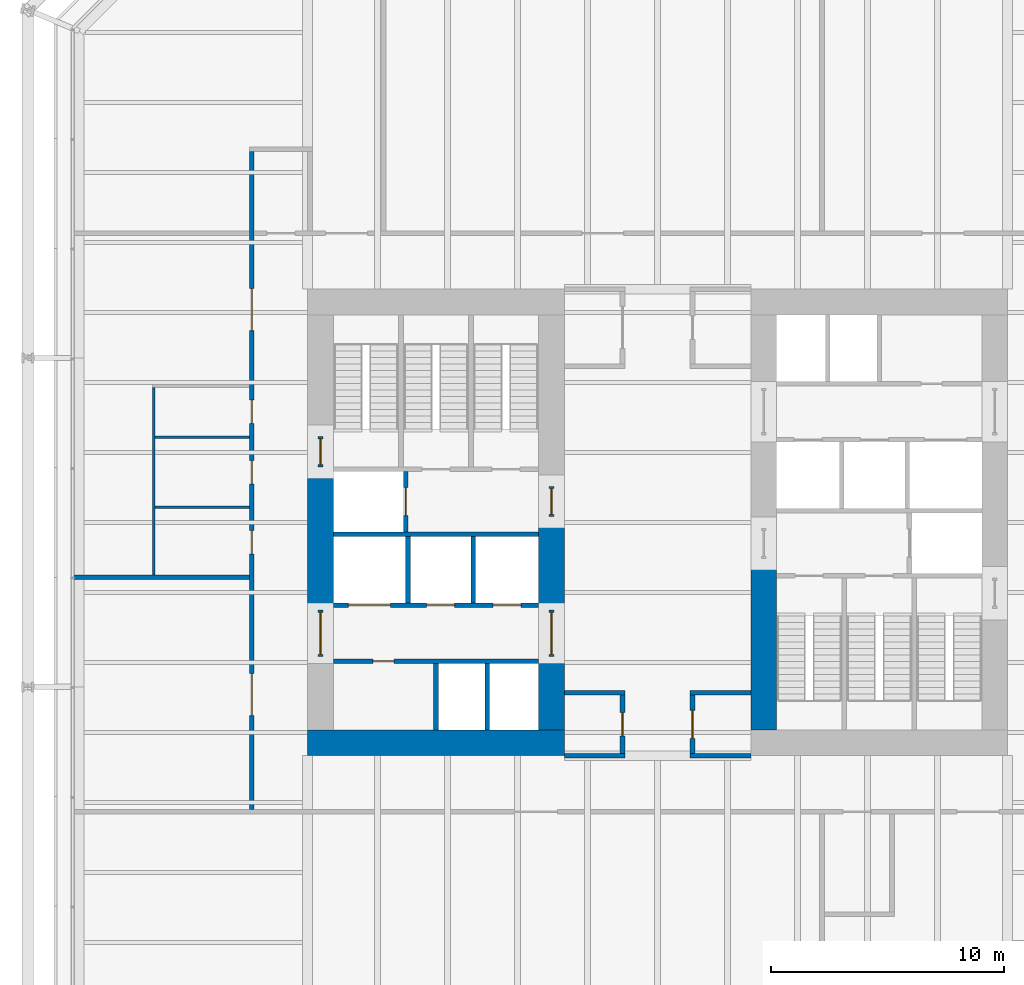
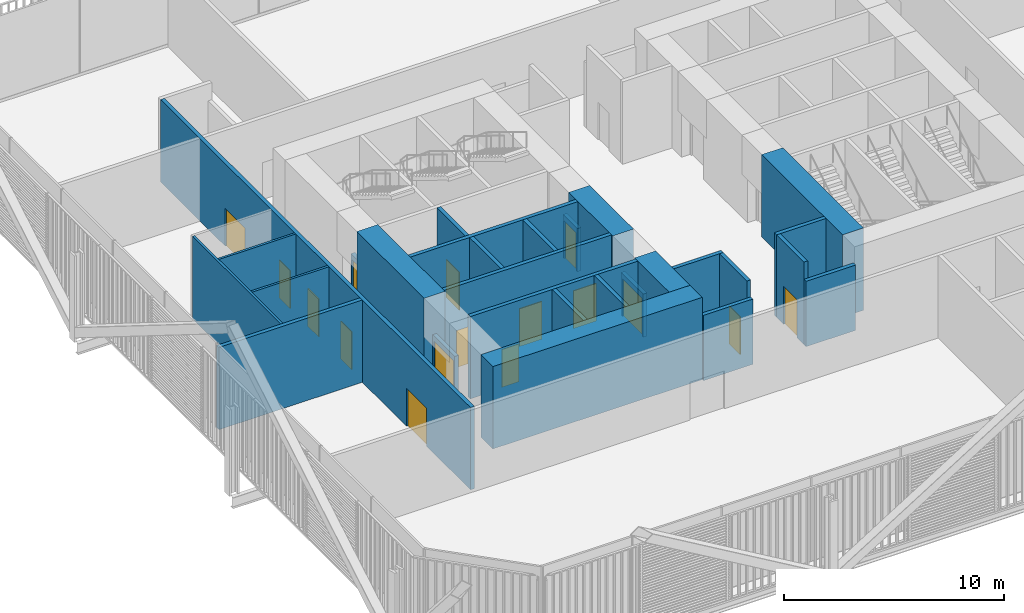
# One storey, part 18 of 22: 28 walls, 16 doors, 16 openings.
"""IFC4 building model written with IfcOpenShell, lengths in metres."""

from ifc_helpers import new_model, si_unit, direction, frame, frame_2d, origin, place, context, subcontext, project, spatial, rectangle, extrude, material, layer, layer_set, type_object, element, fill, save


model = new_model("IFC4")

# Units and contexts
model_context = context("Model", 3, precision=1e-05, world=origin(), true_north=direction((0.0, 1.0)))
body_context = subcontext(model_context, "Body", "Model", "MODEL_VIEW")
ifc_project = project(units=[si_unit("LENGTHUNIT", "METRE"), si_unit("AREAUNIT", "SQUARE_METRE"), si_unit("VOLUMEUNIT", "CUBIC_METRE"), si_unit("PLANEANGLEUNIT", "RADIAN"), si_unit("MASSUNIT", "GRAM", prefix="KILO")], contexts=[model_context])

# Site, building, storey
site_placement = place(None, origin())
site = spatial("IfcSite", under=ifc_project, at=site_placement, CompositionType="ELEMENT")
building_placement = place(site_placement, origin())
building = spatial("IfcBuilding", under=site, at=building_placement, Name="Millrace Tower", CompositionType="ELEMENT")
storey_placement = place(building_placement, frame((0.0, 0.0, 54.5)))
storey = spatial("IfcBuildingStorey", under=building, at=storey_placement, Name="L12", CompositionType="ELEMENT", Elevation=54.5)

# Walls
ifc_material_1 = material(Name="Concrete C80", Category="concrete")
ifc_layer_1 = layer(ifc_material_1, 1.10009765625)
ifc_layer_set_1 = layer_set([ifc_layer_1], Name="Concrete C80")
wall_type_1 = type_object("IfcWallType", Name="Core wall 1100 Concrete C80", PredefinedType="SHEAR", material=ifc_layer_set_1)
wall_1_placement = place(storey_placement, frame((-15.0, -9.449951171875, 0.0), z_axis=(0.0, 0.0, 1.0), x_axis=(1.0, 0.0, 0.0)))
element("IfcWall", 1, at=wall_1_placement, inside=storey, type_object=wall_type_1, Name="Core wall W L12", PredefinedType="SHEAR", context=body_context, shape_type="SweptSolid", body=[
    extrude(rectangle(XDim=11.0, YDim=1.10009765625, at=frame_2d((5.5, 0.0))), origin(), (0.0, 0.0, 1.0), 4.574951171875),
])
wall_2_placement = place(storey_placement, frame((-14.449951171875, -3.75, 0.0), z_axis=(0.0, 0.0, 1.0), x_axis=(0.0, 1.0, 0.0)))
element("IfcWall", 2, at=wall_2_placement, inside=storey, type_object=wall_type_1, Name="Core wall W L12", PredefinedType="SHEAR", context=body_context, shape_type="SweptSolid", body=[
    extrude(rectangle(XDim=6.1298828125, YDim=1.10009765625, at=frame_2d((3.06494140625, 0.0))), origin(), (0.0, 0.0, 1.0), 4.574951171875),
])
wall_3_placement = place(storey_placement, frame((-4.550048828125, -8.89990234375, 0.0), z_axis=(0.0, 0.0, 1.0), x_axis=(0.0, 1.0, 0.0)))
element("IfcWall", 3, at=wall_3_placement, inside=storey, type_object=wall_type_1, Name="Core wall W L12", PredefinedType="SHEAR", context=body_context, shape_type="SweptSolid", body=[
    extrude(rectangle(XDim=3.14990234375, YDim=1.10009765625, at=frame_2d((1.574951171875, 0.0))), origin(), (0.0, 0.0, 1.0), 4.574951171875),
])
wall_4_placement = place(storey_placement, frame((-4.550048828125, -3.75, 0.0), z_axis=(0.0, 0.0, 1.0), x_axis=(0.0, 1.0, 0.0)))
element("IfcWall", 4, at=wall_4_placement, inside=storey, type_object=wall_type_1, Name="Core wall W L12", PredefinedType="SHEAR", context=body_context, shape_type="SweptSolid", body=[
    extrude(rectangle(XDim=4.0, YDim=1.10009765625, at=frame_2d((2.0, 0.0))), origin(), (0.0, 0.0, 1.0), 4.574951171875),
])
wall_5_placement = place(storey_placement, frame((4.550048828125, -1.550048828125, 0.0), z_axis=(0.0, 0.0, 1.0), x_axis=(0.0, -1.0, 0.0)))
element("IfcWall", 5, at=wall_5_placement, inside=storey, type_object=wall_type_1, Name="Core wall E L12", PredefinedType="SHEAR", context=body_context, shape_type="SweptSolid", body=[
    extrude(rectangle(XDim=7.349853515625, YDim=1.10009765625, at=frame_2d((3.6748046875, 0.0))), origin(), (0.0, 0.0, 1.0), 4.574951171875),
])
ifc_material_2 = material(Name="Masonry partition, fire-rated", Category="masonry")
ifc_layer_2 = layer(ifc_material_2, 0.199951171875)
ifc_layer_set_2 = layer_set([ifc_layer_2], Name="Masonry partition, fire-rated")
wall_type_2 = type_object("IfcWallType", Name="Corridor wall 200", PredefinedType="PARTITIONING", material=ifc_layer_set_2)
for number, where, z_axis, x_axis, name in (
    (6, (-4.0, -10.0, 0.0), (0.0, 0.0, 1.0), (1.0, 0.0, 0.0), "Corridor wall L12"),
    (7, (1.39990234375, -10.0, 0.0), (0.0, 0.0, 1.0), (1.0, 0.0, 0.0), "Corridor wall L12"),
):
    element("IfcWall", number, at=place(storey_placement, frame(where, z_axis=z_axis, x_axis=x_axis)), inside=storey, type_object=wall_type_2, Name=name, PredefinedType="PARTITIONING", context=body_context, shape_type="SweptSolid", body=[
        extrude(rectangle(XDim=2.60009765625, YDim=0.199951171875, at=frame_2d((1.300048828125, 0.0))), origin(), (0.0, 0.0, 1.0), 3.627685546875),
    ])
for number, where, z_axis, x_axis, name in (
    (8, (-4.0, -7.300048828125, 0.0), (0.0, 0.0, 1.0), (1.0, 0.0, 0.0), "Corridor wall L12"),
    (9, (1.39990234375, -7.300048828125, 0.0), (0.0, 0.0, 1.0), (1.0, 0.0, 0.0), "Corridor wall L12"),
):
    element("IfcWall", number, at=place(storey_placement, frame(where, z_axis=z_axis, x_axis=x_axis)), inside=storey, type_object=wall_type_2, Name=name, PredefinedType="PARTITIONING", context=body_context, shape_type="SweptSolid", body=[
        extrude(rectangle(XDim=2.60009765625, YDim=0.199951171875, at=frame_2d((1.300048828125, 0.0))), origin(), (0.0, 0.0, 1.0), 4.574951171875),
    ])
wall_6_placement = place(storey_placement, frame((-25.030029296875, -2.35009765625, 0.0), z_axis=(0.0, 0.0, 1.0), x_axis=(1.0, 0.0, 0.0)))
element("IfcWall", 10, at=wall_6_placement, inside=storey, type_object=wall_type_2, Name="Corridor wall L12", PredefinedType="PARTITIONING", context=body_context, shape_type="SweptSolid", body=[
    extrude(rectangle(XDim=7.530029296875, YDim=0.199951171875, at=frame_2d((3.76513671875, 0.0))), origin(), (0.0, 0.0, 1.0), 4.574951171875),
])

# Wall, opening, door
wall_7_placement = place(storey_placement, frame((1.5, -9.89990234375, 0.0), z_axis=(0.0, 0.0, 1.0), x_axis=(0.0, 1.0, 0.0)))
wall_7 = element("IfcWall", 11, at=wall_7_placement, inside=storey, type_object=wall_type_2, Name="Corridor wall L12", PredefinedType="PARTITIONING", context=body_context, shape_type="SweptSolid", body=[
    extrude(rectangle(XDim=2.5, YDim=0.199951171875, at=frame_2d((1.25, 0.0))), origin(), (0.0, 0.0, 1.0), 4.574951171875),
])
opening_1_placement = place(wall_7_placement, frame((0.64990234375, 0.0, 0.0)))
opening_1 = element("IfcOpeningElement", 12, at=opening_1_placement, cuts=wall_7, Name="Opening 12-P004", PredefinedType="OPENING", context=body_context, shape_type="SweptSolid", body=[
    extrude(rectangle(XDim=1.199951171875, YDim=2.10009765625, at=frame_2d((0.60009765625, 1.050048828125))), frame((0.0, 0.10986328125, 0.0), z_axis=(0.0, -1.0, 0.0), x_axis=(1.0, 0.0, 0.0)), (0.0, 0.0, 1.0), 0.219970703125),
])
ifc_material_3 = material(Name="Steel door set, fire-rated", Category="steel")
door_type_1 = type_object("IfcDoorType", Name="Corridor door 1200 x 2100", OperationType="SINGLE_SWING_LEFT", PredefinedType="DOOR", material=ifc_material_3)
door_1_placement = place(opening_1_placement, frame((1.199951171875, 0.0, 0.0), z_axis=(0.0, 0.0, 1.0), x_axis=(-1.0, 0.0, 0.0)))
door_1 = element("IfcDoor", 13, at=door_1_placement, inside=storey, type_object=door_type_1, Name="Door 12-P004", OperationType="SINGLE_SWING_LEFT", OverallHeight=2.10009765625, OverallWidth=1.199951171875, PredefinedType="DOOR", context=body_context, shape_type="SweptSolid", body=[
    extrude(rectangle(XDim=1.199951171875, YDim=2.10009765625, at=frame_2d((0.60009765625, 1.050048828125))), frame((0.0, 0.02490234375, 0.0), z_axis=(0.0, -1.0, 0.0), x_axis=(1.0, 0.0, 0.0)), (0.0, 0.0, 1.0), 0.050048828125),
])
fill(opening_1, door_1)

wall_8_placement = place(storey_placement, frame((-1.5, -9.89990234375, 0.0), z_axis=(0.0, 0.0, 1.0), x_axis=(0.0, 1.0, 0.0)))
wall_8 = element("IfcWall", 14, at=wall_8_placement, inside=storey, type_object=wall_type_2, Name="Corridor wall L12", PredefinedType="PARTITIONING", context=body_context, shape_type="SweptSolid", body=[
    extrude(rectangle(XDim=2.5, YDim=0.199951171875, at=frame_2d((1.25, 0.0))), origin(), (0.0, 0.0, 1.0), 4.574951171875),
])
opening_2_placement = place(wall_8_placement, frame((0.75, 0.0, 0.0)))
opening_2 = element("IfcOpeningElement", 15, at=opening_2_placement, cuts=wall_8, Name="Opening 12-P003", PredefinedType="OPENING", context=body_context, shape_type="SweptSolid", body=[
    extrude(rectangle(XDim=1.0, YDim=2.10009765625, at=frame_2d((0.5, 1.050048828125))), frame((0.0, 0.10986328125, 0.0), z_axis=(0.0, -1.0, 0.0), x_axis=(1.0, 0.0, 0.0)), (0.0, 0.0, 1.0), 0.219970703125),
])
ifc_material_4 = material(Name="Steel door set, fire-rated", Category="steel")
door_type_2 = type_object("IfcDoorType", Name="Corridor door 1000 x 2100", OperationType="SINGLE_SWING_LEFT", PredefinedType="DOOR", material=ifc_material_4)
door_2_placement = place(opening_2_placement, origin())
door_2 = element("IfcDoor", 16, at=door_2_placement, inside=storey, type_object=door_type_2, Name="Door 12-P003", OperationType="SINGLE_SWING_RIGHT", OverallHeight=2.10009765625, OverallWidth=1.0, PredefinedType="DOOR", context=body_context, shape_type="SweptSolid", body=[
    extrude(rectangle(XDim=1.0, YDim=2.10009765625, at=frame_2d((0.5, 1.050048828125))), frame((0.0, 0.02490234375, 0.0), z_axis=(0.0, -1.0, 0.0), x_axis=(1.0, 0.0, 0.0)), (0.0, 0.0, 1.0), 0.050048828125),
])
fill(opening_2, door_2)

# Wall, openings, doors
wall_9_placement = place(storey_placement, frame((-17.39990234375, -12.300048828125, 0.0), z_axis=(0.0, 0.0, 1.0), x_axis=(0.0, 1.0, 0.0)))
wall_9 = element("IfcWall", 17, at=wall_9_placement, inside=storey, type_object=wall_type_2, Name="Corridor wall L12", PredefinedType="PARTITIONING", context=body_context, shape_type="SweptSolid", body=[
    extrude(rectangle(XDim=28.199951171875, YDim=0.199951171875, at=frame_2d((14.10009765625, 0.0))), origin(), (0.0, 0.0, 1.0), 4.574951171875),
])
opening_3_placement = place(wall_9_placement, frame((4.02490234375, 0.0, 0.0)))
opening_3 = element("IfcOpeningElement", 18, at=opening_3_placement, cuts=wall_9, Name="Opening 12-P015", PredefinedType="OPENING", context=body_context, shape_type="SweptSolid", body=[
    extrude(rectangle(XDim=1.800048828125, YDim=2.10009765625, at=frame_2d((0.89990234375, 1.050048828125))), frame((0.0, 0.10986328125, 0.0), z_axis=(0.0, -1.0, 0.0), x_axis=(1.0, 0.0, 0.0)), (0.0, 0.0, 1.0), 0.219970703125),
])
opening_4_placement = place(wall_9_placement, frame((20.52490234375, 0.0, 0.0)))
opening_4 = element("IfcOpeningElement", 19, at=opening_4_placement, cuts=wall_9, Name="Opening 12-P016", PredefinedType="OPENING", context=body_context, shape_type="SweptSolid", body=[
    extrude(rectangle(XDim=1.800048828125, YDim=2.10009765625, at=frame_2d((0.89990234375, 1.050048828125))), frame((0.0, 0.10986328125, 0.0), z_axis=(0.0, -1.0, 0.0), x_axis=(1.0, 0.0, 0.0)), (0.0, 0.0, 1.0), 0.219970703125),
])
opening_5_placement = place(wall_9_placement, frame((10.949951171875, 0.0, 0.0)))
opening_5 = element("IfcOpeningElement", 20, at=opening_5_placement, cuts=wall_9, Name="Opening 12-P017", PredefinedType="OPENING", context=body_context, shape_type="SweptSolid", body=[
    extrude(rectangle(XDim=1.0, YDim=2.10009765625, at=frame_2d((0.5, 1.050048828125))), frame((0.0, 0.10986328125, 0.0), z_axis=(0.0, -1.0, 0.0), x_axis=(1.0, 0.0, 0.0)), (0.0, 0.0, 1.0), 0.219970703125),
])
opening_6_placement = place(wall_9_placement, frame((13.949951171875, 0.0, 0.0)))
opening_6 = element("IfcOpeningElement", 21, at=opening_6_placement, cuts=wall_9, Name="Opening 12-P018", PredefinedType="OPENING", context=body_context, shape_type="SweptSolid", body=[
    extrude(rectangle(XDim=1.0, YDim=2.10009765625, at=frame_2d((0.5, 1.050048828125))), frame((0.0, 0.10986328125, 0.0), z_axis=(0.0, -1.0, 0.0), x_axis=(1.0, 0.0, 0.0)), (0.0, 0.0, 1.0), 0.219970703125),
])
opening_7_placement = place(wall_9_placement, frame((16.550048828125, 0.0, 0.0)))
opening_7 = element("IfcOpeningElement", 22, at=opening_7_placement, cuts=wall_9, Name="Opening 12-P019", PredefinedType="OPENING", context=body_context, shape_type="SweptSolid", body=[
    extrude(rectangle(XDim=1.0, YDim=2.10009765625, at=frame_2d((0.5, 1.050048828125))), frame((0.0, 0.10986328125, 0.0), z_axis=(0.0, -1.0, 0.0), x_axis=(1.0, 0.0, 0.0)), (0.0, 0.0, 1.0), 0.219970703125),
])
door_3_placement = place(opening_5_placement, origin())
door_3 = element("IfcDoor", 23, at=door_3_placement, inside=storey, type_object=door_type_2, Name="Door 12-P017", OperationType="SINGLE_SWING_LEFT", OverallHeight=2.10009765625, OverallWidth=1.0, PredefinedType="DOOR", context=body_context, shape_type="SweptSolid", body=[
    extrude(rectangle(XDim=1.0, YDim=2.10009765625, at=frame_2d((0.5, 1.050048828125))), frame((0.0, 0.02490234375, 0.0), z_axis=(0.0, -1.0, 0.0), x_axis=(1.0, 0.0, 0.0)), (0.0, 0.0, 1.0), 0.050048828125),
])
fill(opening_5, door_3)
door_4_placement = place(opening_6_placement, origin())
door_4 = element("IfcDoor", 24, at=door_4_placement, inside=storey, type_object=door_type_2, Name="Door 12-P018", OperationType="SINGLE_SWING_RIGHT", OverallHeight=2.10009765625, OverallWidth=1.0, PredefinedType="DOOR", context=body_context, shape_type="SweptSolid", body=[
    extrude(rectangle(XDim=1.0, YDim=2.10009765625, at=frame_2d((0.5, 1.050048828125))), frame((0.0, 0.02490234375, 0.0), z_axis=(0.0, -1.0, 0.0), x_axis=(1.0, 0.0, 0.0)), (0.0, 0.0, 1.0), 0.050048828125),
])
fill(opening_6, door_4)
door_5_placement = place(opening_7_placement, origin())
door_5 = element("IfcDoor", 25, at=door_5_placement, inside=storey, type_object=door_type_2, Name="Door 12-P019", OperationType="SINGLE_SWING_RIGHT", OverallHeight=2.10009765625, OverallWidth=1.0, PredefinedType="DOOR", context=body_context, shape_type="SweptSolid", body=[
    extrude(rectangle(XDim=1.0, YDim=2.10009765625, at=frame_2d((0.5, 1.050048828125))), frame((0.0, 0.02490234375, 0.0), z_axis=(0.0, -1.0, 0.0), x_axis=(1.0, 0.0, 0.0)), (0.0, 0.0, 1.0), 0.050048828125),
])
fill(opening_7, door_5)
ifc_material_5 = material(Name="Steel door set, fire-rated", Category="steel")
door_type_3 = type_object("IfcDoorType", Name="Corridor door 1800 x 2100", OperationType="DOUBLE_DOOR_SINGLE_SWING", PredefinedType="DOOR", material=ifc_material_5)
door_6_placement = place(opening_4_placement, origin())
door_6 = element("IfcDoor", 26, at=door_6_placement, inside=storey, type_object=door_type_3, Name="Door 12-P016", OperationType="DOUBLE_DOOR_SINGLE_SWING", OverallHeight=2.10009765625, OverallWidth=1.800048828125, PredefinedType="DOOR", context=body_context, shape_type="SweptSolid", body=[
    extrude(rectangle(XDim=1.800048828125, YDim=2.10009765625, at=frame_2d((0.89990234375, 1.050048828125))), frame((0.0, 0.02490234375, 0.0), z_axis=(0.0, -1.0, 0.0), x_axis=(1.0, 0.0, 0.0)), (0.0, 0.0, 1.0), 0.050048828125),
])
fill(opening_4, door_6)
ifc_material_6 = material(Name="Steel door set, fire-rated", Category="steel")
door_type_4 = type_object("IfcDoorType", Name="Data hall door 1800 x 2100", OperationType="DOUBLE_DOOR_SINGLE_SWING", PredefinedType="DOOR", material=ifc_material_6)
door_7_placement = place(opening_3_placement, origin())
door_7 = element("IfcDoor", 27, at=door_7_placement, inside=storey, type_object=door_type_4, Name="Door 12-P015", OperationType="DOUBLE_DOOR_SINGLE_SWING", OverallHeight=2.10009765625, OverallWidth=1.800048828125, PredefinedType="DOOR", context=body_context, shape_type="SweptSolid", body=[
    extrude(rectangle(XDim=1.800048828125, YDim=2.10009765625, at=frame_2d((0.89990234375, 1.050048828125))), frame((0.0, 0.02490234375, 0.0), z_axis=(0.0, -1.0, 0.0), x_axis=(1.0, 0.0, 0.0)), (0.0, 0.0, 1.0), 0.050048828125),
])
fill(opening_3, door_7)

# Wall, opening, door
ifc_material_7 = material(Name="Masonry partition, fire-rated", Category="masonry")
ifc_layer_3 = layer(ifc_material_7, 0.199951171875)
ifc_layer_set_3 = layer_set([ifc_layer_3], Name="Masonry partition, fire-rated")
wall_type_3 = type_object("IfcWallType", Name="Lift shaft wall 200", PredefinedType="PARTITIONING", material=ifc_layer_set_3)
wall_10_placement = place(storey_placement, frame((-13.89990234375, -5.949951171875, 0.0), z_axis=(0.0, 0.0, 1.0), x_axis=(1.0, 0.0, 0.0)))
wall_10 = element("IfcWall", 28, at=wall_10_placement, inside=storey, type_object=wall_type_3, Name="Lift shaft wall W L12", PredefinedType="PARTITIONING", context=body_context, shape_type="SweptSolid", body=[
    extrude(rectangle(XDim=8.7998046875, YDim=0.199951171875, at=frame_2d((4.39990234375, 0.0))), origin(), (0.0, 0.0, 1.0), 4.574951171875),
])
opening_8_placement = place(wall_10_placement, frame((1.699951171875, 0.0, 0.0)))
opening_8 = element("IfcOpeningElement", 29, at=opening_8_placement, cuts=wall_10, Name="Opening 12-C005", PredefinedType="OPENING", context=body_context, shape_type="SweptSolid", body=[
    extrude(rectangle(XDim=0.89990234375, YDim=2.10009765625, at=frame_2d((0.449951171875, 1.050048828125))), frame((0.0, 0.10986328125, 0.0), z_axis=(0.0, -1.0, 0.0), x_axis=(1.0, 0.0, 0.0)), (0.0, 0.0, 1.0), 0.219970703125),
])
ifc_material_8 = material(Name="Steel door, fire-rated", Category="steel")
door_type_5 = type_object("IfcDoorType", Name="Service room door 900 x 2100", OperationType="SINGLE_SWING_LEFT", PredefinedType="DOOR", material=ifc_material_8)
door_8_placement = place(opening_8_placement, frame((0.89990234375, 0.0, 0.0), z_axis=(0.0, 0.0, 1.0), x_axis=(-1.0, 0.0, 0.0)))
door_8 = element("IfcDoor", 30, at=door_8_placement, inside=storey, type_object=door_type_5, Name="Service room door 12-C005", OperationType="SINGLE_SWING_RIGHT", OverallHeight=2.10009765625, OverallWidth=0.89990234375, PredefinedType="DOOR", context=body_context, shape_type="SweptSolid", body=[
    extrude(rectangle(XDim=0.89990234375, YDim=2.10009765625, at=frame_2d((0.449951171875, 1.050048828125))), frame((0.0, 0.02490234375, 0.0), z_axis=(0.0, -1.0, 0.0), x_axis=(1.0, 0.0, 0.0)), (0.0, 0.0, 1.0), 0.050048828125),
])
fill(opening_8, door_8)

# Wall, openings, doors
wall_11_placement = place(storey_placement, frame((-13.89990234375, -3.550048828125, 0.0), z_axis=(0.0, 0.0, 1.0), x_axis=(1.0, 0.0, 0.0)))
wall_11 = element("IfcWall", 31, at=wall_11_placement, inside=storey, type_object=wall_type_3, Name="Lift shaft wall W L12", PredefinedType="PARTITIONING", context=body_context, shape_type="SweptSolid", body=[
    extrude(rectangle(XDim=8.7998046875, YDim=0.199951171875, at=frame_2d((4.39990234375, 0.0))), origin(), (0.0, 0.0, 1.0), 4.574951171875),
])
opening_9_placement = place(wall_11_placement, frame((0.64990234375, 0.0, 0.0)))
opening_9 = element("IfcOpeningElement", 32, at=opening_9_placement, cuts=wall_11, Name="Opening 12-LD05", PredefinedType="OPENING", context=body_context, shape_type="SweptSolid", body=[
    extrude(rectangle(XDim=1.800048828125, YDim=2.10009765625, at=frame_2d((0.89990234375, 1.050048828125))), frame((0.0, 0.10986328125, 0.0), z_axis=(0.0, -1.0, 0.0), x_axis=(1.0, 0.0, 0.0)), (0.0, 0.0, 1.0), 0.219970703125),
])
opening_10_placement = place(wall_11_placement, frame((4.0, 0.0, 0.0)))
opening_10 = element("IfcOpeningElement", 33, at=opening_10_placement, cuts=wall_11, Name="Opening 12-LD06", PredefinedType="OPENING", context=body_context, shape_type="SweptSolid", body=[
    extrude(rectangle(XDim=1.199951171875, YDim=2.10009765625, at=frame_2d((0.60009765625, 1.050048828125))), frame((0.0, 0.10986328125, 0.0), z_axis=(0.0, -1.0, 0.0), x_axis=(1.0, 0.0, 0.0)), (0.0, 0.0, 1.0), 0.219970703125),
])
opening_11_placement = place(wall_11_placement, frame((6.85009765625, 0.0, 0.0)))
opening_11 = element("IfcOpeningElement", 34, at=opening_11_placement, cuts=wall_11, Name="Opening 12-LD07", PredefinedType="OPENING", context=body_context, shape_type="SweptSolid", body=[
    extrude(rectangle(XDim=1.199951171875, YDim=2.10009765625, at=frame_2d((0.60009765625, 1.050048828125))), frame((0.0, 0.10986328125, 0.0), z_axis=(0.0, -1.0, 0.0), x_axis=(1.0, 0.0, 0.0)), (0.0, 0.0, 1.0), 0.219970703125),
])
ifc_material_9 = material(Name="Stainless steel, fire-rated", Category="steel")
door_type_6 = type_object("IfcDoorType", Name="Lift landing door 1200 x 2100", OperationType="DOUBLE_DOOR_SLIDING", PredefinedType="DOOR", material=ifc_material_9)
door_9_placement = place(opening_10_placement, origin())
door_9 = element("IfcDoor", 35, at=door_9_placement, inside=storey, type_object=door_type_6, Name="Lift landing door LF6 L12", OperationType="DOUBLE_DOOR_SLIDING", OverallHeight=2.10009765625, OverallWidth=1.199951171875, PredefinedType="DOOR", context=body_context, shape_type="SweptSolid", body=[
    extrude(rectangle(XDim=1.199951171875, YDim=2.10009765625, at=frame_2d((0.60009765625, 1.050048828125))), frame((0.0, 0.02490234375, 0.0), z_axis=(0.0, -1.0, 0.0), x_axis=(1.0, 0.0, 0.0)), (0.0, 0.0, 1.0), 0.050048828125),
])
fill(opening_10, door_9)
door_10_placement = place(opening_11_placement, origin())
door_10 = element("IfcDoor", 36, at=door_10_placement, inside=storey, type_object=door_type_6, Name="Lift landing door LF7 L12", OperationType="DOUBLE_DOOR_SLIDING", OverallHeight=2.10009765625, OverallWidth=1.199951171875, PredefinedType="DOOR", context=body_context, shape_type="SweptSolid", body=[
    extrude(rectangle(XDim=1.199951171875, YDim=2.10009765625, at=frame_2d((0.60009765625, 1.050048828125))), frame((0.0, 0.02490234375, 0.0), z_axis=(0.0, -1.0, 0.0), x_axis=(1.0, 0.0, 0.0)), (0.0, 0.0, 1.0), 0.050048828125),
])
fill(opening_11, door_10)
ifc_material_10 = material(Name="Stainless steel, fire-rated", Category="steel")
door_type_7 = type_object("IfcDoorType", Name="Lift landing door 1800 x 2100", OperationType="DOUBLE_DOOR_SLIDING", PredefinedType="DOOR", material=ifc_material_10)
door_11_placement = place(opening_9_placement, origin())
door_11 = element("IfcDoor", 37, at=door_11_placement, inside=storey, type_object=door_type_7, Name="Lift landing door LF5 L12", OperationType="DOUBLE_DOOR_SLIDING", OverallHeight=2.10009765625, OverallWidth=1.800048828125, PredefinedType="DOOR", context=body_context, shape_type="SweptSolid", body=[
    extrude(rectangle(XDim=1.800048828125, YDim=2.10009765625, at=frame_2d((0.89990234375, 1.050048828125))), frame((0.0, 0.02490234375, 0.0), z_axis=(0.0, -1.0, 0.0), x_axis=(1.0, 0.0, 0.0)), (0.0, 0.0, 1.0), 0.050048828125),
])
fill(opening_9, door_11)

# Wall
wall_12_placement = place(storey_placement, frame((-13.89990234375, -0.5, 0.0), z_axis=(0.0, 0.0, 1.0), x_axis=(1.0, 0.0, 0.0)))
element("IfcWall", 38, at=wall_12_placement, inside=storey, type_object=wall_type_3, Name="Lift shaft wall W L12", PredefinedType="PARTITIONING", context=body_context, shape_type="SweptSolid", body=[
    extrude(rectangle(XDim=8.7998046875, YDim=0.199951171875, at=frame_2d((4.39990234375, 0.0))), origin(), (0.0, 0.0, 1.0), 4.574951171875),
])

# Wall, opening, door
wall_13_placement = place(storey_placement, frame((-10.800048828125, -0.39990234375, 0.0), z_axis=(0.0, 0.0, 1.0), x_axis=(0.0, 1.0, 0.0)))
wall_13 = element("IfcWall", 39, at=wall_13_placement, inside=storey, type_object=wall_type_3, Name="Lift shaft wall W L12", PredefinedType="PARTITIONING", context=body_context, shape_type="SweptSolid", body=[
    extrude(rectangle(XDim=2.579833984375, YDim=0.199951171875, at=frame_2d((1.2900390625, 0.0))), origin(), (0.0, 0.0, 1.0), 4.574951171875),
])
opening_12_placement = place(wall_13_placement, frame((0.68994140625, 0.0, 0.0)))
opening_12 = element("IfcOpeningElement", 40, at=opening_12_placement, cuts=wall_13, Name="Opening 12-LD08", PredefinedType="OPENING", context=body_context, shape_type="SweptSolid", body=[
    extrude(rectangle(XDim=1.199951171875, YDim=2.10009765625, at=frame_2d((0.60009765625, 1.050048828125))), frame((0.0, 0.10986328125, 0.0), z_axis=(0.0, -1.0, 0.0), x_axis=(1.0, 0.0, 0.0)), (0.0, 0.0, 1.0), 0.219970703125),
])
door_12_placement = place(opening_12_placement, origin())
door_12 = element("IfcDoor", 41, at=door_12_placement, inside=storey, type_object=door_type_6, Name="Lift landing door LF8 L12", OperationType="DOUBLE_DOOR_SLIDING", OverallHeight=2.10009765625, OverallWidth=1.199951171875, PredefinedType="DOOR", context=body_context, shape_type="SweptSolid", body=[
    extrude(rectangle(XDim=1.199951171875, YDim=2.10009765625, at=frame_2d((0.60009765625, 1.050048828125))), frame((0.0, 0.02490234375, 0.0), z_axis=(0.0, -1.0, 0.0), x_axis=(1.0, 0.0, 0.0)), (0.0, 0.0, 1.0), 0.050048828125),
])
fill(opening_12, door_12)

# Walls
for number, where, z_axis, x_axis, name in (
    (42, (-9.5, -8.89990234375, 0.0), (0.0, 0.0, 1.0), (0.0, 1.0, 0.0), "Lift shaft wall W L12"),
    (43, (-7.300048828125, -8.89990234375, 0.0), (0.0, 0.0, 1.0), (0.0, 1.0, 0.0), "Lift shaft wall W L12"),
    (44, (-10.699951171875, -3.449951171875, 0.0), (0.0, 0.0, 1.0), (0.0, 1.0, 0.0), "Lift shaft wall W L12"),
    (45, (-7.89990234375, -3.449951171875, 0.0), (0.0, 0.0, 1.0), (0.0, 1.0, 0.0), "Lift shaft wall W L12"),
):
    element("IfcWall", number, at=place(storey_placement, frame(where, z_axis=z_axis, x_axis=x_axis)), inside=storey, type_object=wall_type_3, Name=name, PredefinedType="PARTITIONING", context=body_context, shape_type="SweptSolid", body=[
        extrude(rectangle(XDim=2.849853515625, YDim=0.199951171875, at=frame_2d((1.4248046875, 0.0))), origin(), (0.0, 0.0, 1.0), 4.574951171875),
    ])

# Wall, opening, door
ifc_material_11 = material(Name="Masonry partition, fire-rated", Category="masonry")
ifc_layer_4 = layer(ifc_material_11, 0.199951171875)
ifc_layer_set_4 = layer_set([ifc_layer_4], Name="Masonry partition, fire-rated")
wall_type_4 = type_object("IfcWallType", Name="Lobby wall 200", PredefinedType="PARTITIONING", material=ifc_layer_set_4)
wall_14_placement = place(storey_placement, frame((-14.449951171875, -5.75, 0.0), z_axis=(0.0, 0.0, 1.0), x_axis=(0.0, 1.0, 0.0)))
wall_14 = element("IfcWall", 46, at=wall_14_placement, inside=storey, type_object=wall_type_4, Name="Lobby wall W L12", PredefinedType="PARTITIONING", context=body_context, shape_type="SweptSolid", body=[
    extrude(rectangle(XDim=2.0, YDim=0.199951171875, at=frame_2d((1.0, 0.0))), origin(), (0.0, 0.0, 1.0), 2.39990234375),
])
opening_13_placement = place(wall_14_placement, frame((0.10009765625, 0.0, 0.0)))
opening_13 = element("IfcOpeningElement", 47, at=opening_13_placement, cuts=wall_14, Name="Opening 12-C001", PredefinedType="OPENING", context=body_context, shape_type="SweptSolid", body=[
    extrude(rectangle(XDim=1.800048828125, YDim=2.10009765625, at=frame_2d((0.89990234375, 1.050048828125))), frame((0.0, 0.10986328125, 0.0), z_axis=(0.0, -1.0, 0.0), x_axis=(1.0, 0.0, 0.0)), (0.0, 0.0, 1.0), 0.219970703125),
])
ifc_material_12 = material(Name="Steel door, fire-rated", Category="steel")
door_type_8 = type_object("IfcDoorType", Name="Lobby door 1800 x 2100", OperationType="DOUBLE_DOOR_SINGLE_SWING", PredefinedType="DOOR", material=ifc_material_12)
door_13_placement = place(opening_13_placement, origin())
door_13 = element("IfcDoor", 48, at=door_13_placement, inside=storey, type_object=door_type_8, Name="Lobby door 12-C001", OperationType="DOUBLE_DOOR_SINGLE_SWING", OverallHeight=2.10009765625, OverallWidth=1.800048828125, PredefinedType="DOOR", context=body_context, shape_type="SweptSolid", body=[
    extrude(rectangle(XDim=1.800048828125, YDim=2.10009765625, at=frame_2d((0.89990234375, 1.050048828125))), frame((0.0, 0.02490234375, 0.0), z_axis=(0.0, -1.0, 0.0), x_axis=(1.0, 0.0, 0.0)), (0.0, 0.0, 1.0), 0.050048828125),
])
fill(opening_13, door_13)

wall_15_placement = place(storey_placement, frame((-4.550048828125, -5.75, 0.0), z_axis=(0.0, 0.0, 1.0), x_axis=(0.0, 1.0, 0.0)))
wall_15 = element("IfcWall", 49, at=wall_15_placement, inside=storey, type_object=wall_type_4, Name="Lobby wall W L12", PredefinedType="PARTITIONING", context=body_context, shape_type="SweptSolid", body=[
    extrude(rectangle(XDim=2.0, YDim=0.199951171875, at=frame_2d((1.0, 0.0))), origin(), (0.0, 0.0, 1.0), 2.39990234375),
])
opening_14_placement = place(wall_15_placement, frame((0.10009765625, 0.0, 0.0)))
opening_14 = element("IfcOpeningElement", 50, at=opening_14_placement, cuts=wall_15, Name="Opening 12-C003", PredefinedType="OPENING", context=body_context, shape_type="SweptSolid", body=[
    extrude(rectangle(XDim=1.800048828125, YDim=2.10009765625, at=frame_2d((0.89990234375, 1.050048828125))), frame((0.0, 0.10986328125, 0.0), z_axis=(0.0, -1.0, 0.0), x_axis=(1.0, 0.0, 0.0)), (0.0, 0.0, 1.0), 0.219970703125),
])
door_14_placement = place(opening_14_placement, origin())
door_14 = element("IfcDoor", 51, at=door_14_placement, inside=storey, type_object=door_type_8, Name="Lobby door 12-C003", OperationType="DOUBLE_DOOR_SINGLE_SWING", OverallHeight=2.10009765625, OverallWidth=1.800048828125, PredefinedType="DOOR", context=body_context, shape_type="SweptSolid", body=[
    extrude(rectangle(XDim=1.800048828125, YDim=2.10009765625, at=frame_2d((0.89990234375, 1.050048828125))), frame((0.0, 0.02490234375, 0.0), z_axis=(0.0, -1.0, 0.0), x_axis=(1.0, 0.0, 0.0)), (0.0, 0.0, 1.0), 0.050048828125),
])
fill(opening_14, door_14)

wall_16_placement = place(storey_placement, frame((-4.550048828125, 0.25, 0.0), z_axis=(0.0, 0.0, 1.0), x_axis=(0.0, 1.0, 0.0)))
wall_16 = element("IfcWall", 52, at=wall_16_placement, inside=storey, type_object=wall_type_4, Name="Lobby wall W L12", PredefinedType="PARTITIONING", context=body_context, shape_type="SweptSolid", body=[
    extrude(rectangle(XDim=1.300048828125, YDim=0.199951171875, at=frame_2d((0.64990234375, 0.0))), origin(), (0.0, 0.0, 1.0), 2.39990234375),
])
opening_15_placement = place(wall_16_placement, frame((0.10009765625, 0.0, 0.0)))
opening_15 = element("IfcOpeningElement", 53, at=opening_15_placement, cuts=wall_16, Name="Opening 12-C004", PredefinedType="OPENING", context=body_context, shape_type="SweptSolid", body=[
    extrude(rectangle(XDim=1.10009765625, YDim=2.10009765625, at=frame_2d((0.550048828125, 1.050048828125))), frame((0.0, 0.10986328125, 0.0), z_axis=(0.0, -1.0, 0.0), x_axis=(1.0, 0.0, 0.0)), (0.0, 0.0, 1.0), 0.219970703125),
])
ifc_material_13 = material(Name="Steel door, fire-rated", Category="steel")
door_type_9 = type_object("IfcDoorType", Name="Lobby door 1100 x 2100", OperationType="SINGLE_SWING_LEFT", PredefinedType="DOOR", material=ifc_material_13)
door_15_placement = place(opening_15_placement, origin())
door_15 = element("IfcDoor", 54, at=door_15_placement, inside=storey, type_object=door_type_9, Name="Lobby door 12-C004", OperationType="SINGLE_SWING_RIGHT", OverallHeight=2.10009765625, OverallWidth=1.10009765625, PredefinedType="DOOR", context=body_context, shape_type="SweptSolid", body=[
    extrude(rectangle(XDim=1.10009765625, YDim=2.10009765625, at=frame_2d((0.550048828125, 1.050048828125))), frame((0.0, 0.02490234375, 0.0), z_axis=(0.0, -1.0, 0.0), x_axis=(1.0, 0.0, 0.0)), (0.0, 0.0, 1.0), 0.050048828125),
])
fill(opening_15, door_15)

# Walls
ifc_material_14 = material(Name="Gypsum board partition")
ifc_layer_5 = layer(ifc_material_14, 0.1201171875)
ifc_layer_set_5 = layer_set([ifc_layer_5], Name="Gypsum board partition")
wall_type_5 = type_object("IfcWallType", Name="Partition wall 120", PredefinedType="PARTITIONING", material=ifc_layer_set_5)
for number, where, z_axis, x_axis, name in (
    (55, (-21.5400390625, 0.64990234375, 0.0), (0.0, 0.0, 1.0), (1.0, 0.0, 0.0), "Partition wall L12"),
    (56, (-21.5400390625, 3.64990234375, 0.0), (0.0, 0.0, 1.0), (1.0, 0.0, 0.0), "Partition wall L12"),
):
    element("IfcWall", number, at=place(storey_placement, frame(where, z_axis=z_axis, x_axis=x_axis)), inside=storey, type_object=wall_type_5, Name=name, PredefinedType="PARTITIONING", context=body_context, shape_type="SweptSolid", body=[
        extrude(rectangle(XDim=4.0400390625, YDim=0.1201171875, at=frame_2d((2.02001953125, 0.0))), origin(), (0.0, 0.0, 1.0), 4.574951171875),
    ])
wall_17_placement = place(storey_placement, frame((-21.60009765625, -2.25, 0.0), z_axis=(0.0, 0.0, 1.0), x_axis=(0.0, 1.0, 0.0)))
element("IfcWall", 57, at=wall_17_placement, inside=storey, type_object=wall_type_5, Name="Partition wall L12", PredefinedType="PARTITIONING", context=body_context, shape_type="SweptSolid", body=[
    extrude(rectangle(XDim=8.0400390625, YDim=0.1201171875, at=frame_2d((4.02001953125, 0.0))), origin(), (0.0, 0.0, 1.0), 4.574951171875),
])

# Wall, opening, door
ifc_material_15 = material(Name="Concrete C40", Category="concrete")
ifc_layer_6 = layer(ifc_material_15, 0.199951171875)
ifc_layer_set_6 = layer_set([ifc_layer_6], Name="Concrete C40")
wall_type_6 = type_object("IfcWallType", Name="Stair enclosure wall 200 Concrete C40", PredefinedType="SHEAR", material=ifc_layer_set_6)
wall_18_placement = place(storey_placement, frame((-14.449951171875, 2.3798828125, 0.0), z_axis=(0.0, 0.0, 1.0), x_axis=(0.0, 1.0, 0.0)))
wall_18 = element("IfcWall", 58, at=wall_18_placement, inside=storey, type_object=wall_type_6, Name="Stair enclosure wall W L12", PredefinedType="SHEAR", context=body_context, shape_type="SweptSolid", body=[
    extrude(rectangle(XDim=1.300048828125, YDim=0.199951171875, at=frame_2d((0.64990234375, 0.0))), origin(), (0.0, 0.0, 1.0), 2.39990234375),
])
opening_16_placement = place(wall_18_placement, frame((0.10009765625, 0.0, 0.0)))
opening_16 = element("IfcOpeningElement", 59, at=opening_16_placement, cuts=wall_18, Name="Opening 12-C002", PredefinedType="OPENING", context=body_context, shape_type="SweptSolid", body=[
    extrude(rectangle(XDim=1.10009765625, YDim=2.10009765625, at=frame_2d((0.550048828125, 1.050048828125))), frame((0.0, 0.10986328125, 0.0), z_axis=(0.0, -1.0, 0.0), x_axis=(1.0, 0.0, 0.0)), (0.0, 0.0, 1.0), 0.219970703125),
])
ifc_material_16 = material(Name="Steel door, fire-rated", Category="steel")
door_type_10 = type_object("IfcDoorType", Name="Stair door 1100 x 2100", OperationType="SINGLE_SWING_LEFT", PredefinedType="DOOR", material=ifc_material_16)
door_16_placement = place(opening_16_placement, origin())
door_16 = element("IfcDoor", 60, at=door_16_placement, inside=storey, type_object=door_type_10, Name="Stair door 12-C002", OperationType="SINGLE_SWING_RIGHT", OverallHeight=2.10009765625, OverallWidth=1.10009765625, PredefinedType="DOOR", context=body_context, shape_type="SweptSolid", body=[
    extrude(rectangle(XDim=1.10009765625, YDim=2.10009765625, at=frame_2d((0.550048828125, 1.050048828125))), frame((0.0, 0.02490234375, 0.0), z_axis=(0.0, -1.0, 0.0), x_axis=(1.0, 0.0, 0.0)), (0.0, 0.0, 1.0), 0.050048828125),
])
fill(opening_16, door_16)

save(model, "model.ifc")
